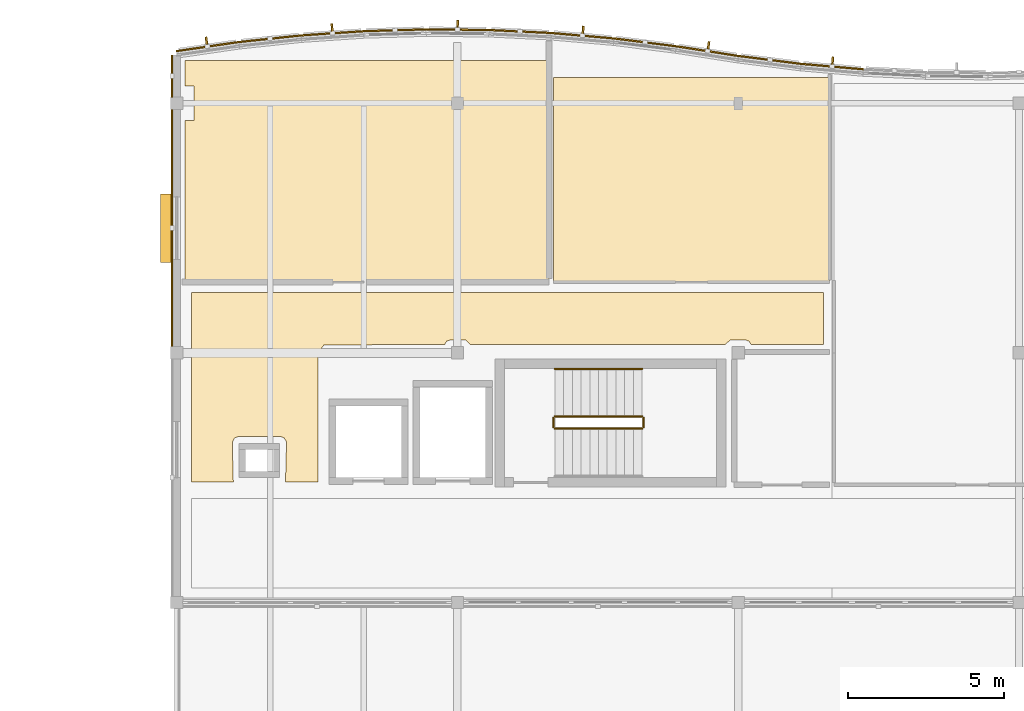
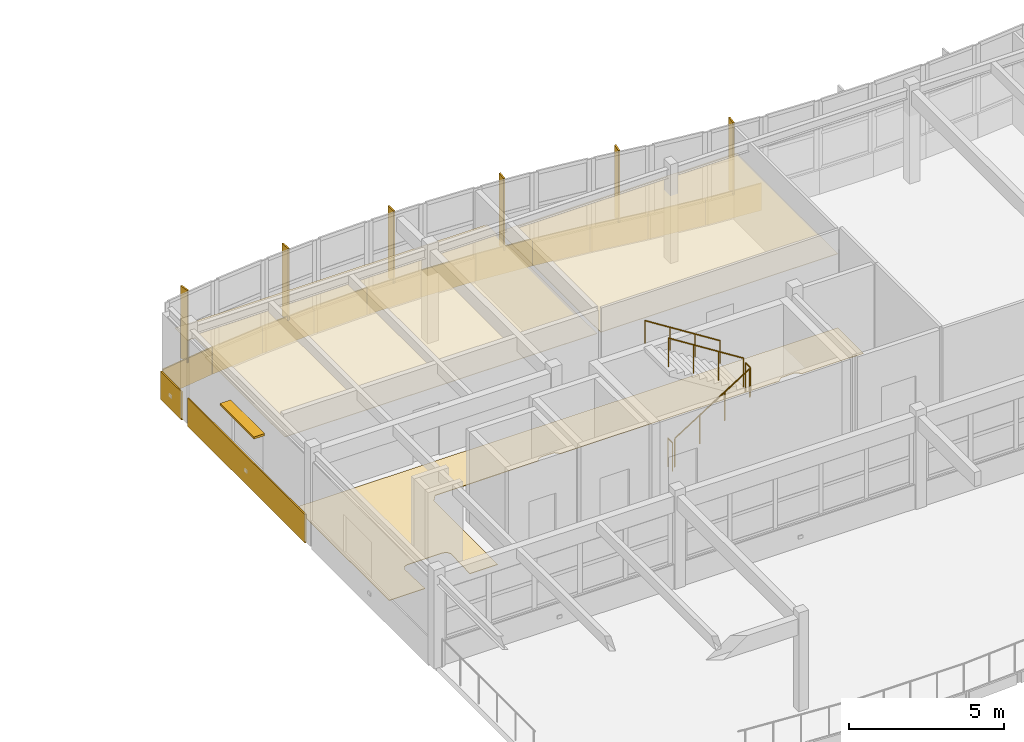
# One storey, part 58 of 63: 16 coverings, 7 shading devices, 5 railings.
"""IFC4 building model written with IfcOpenShell, lengths in metres."""

from ifc_helpers import new_model, si_unit, direction, frame, origin, origin_2d, place, context, subcontext, project, spatial, polyline, rectangle, circle, outline, extrude, material, layer, layer_set, type_object, element, save


model = new_model("IFC4")

# Units and contexts
model_context = context("Model", 3, precision=1e-05, world=origin(), true_north=direction((0.0, 1.0)))
body_context = subcontext(model_context, "Body", "Model", "MODEL_VIEW")
ifc_project = project(units=[si_unit("LENGTHUNIT", "METRE"), si_unit("AREAUNIT", "SQUARE_METRE"), si_unit("VOLUMEUNIT", "CUBIC_METRE"), si_unit("PLANEANGLEUNIT", "RADIAN"), si_unit("MASSUNIT", "GRAM", prefix="KILO")], contexts=[model_context])

# Site, building, storey
site_placement = place(None, origin())
site = spatial("IfcSite", under=ifc_project, at=site_placement, CompositionType="ELEMENT")
building_placement = place(site_placement, origin())
building = spatial("IfcBuilding", under=site, at=building_placement, Name="Tonlespit Floodbar School", CompositionType="ELEMENT")
storey_placement = place(building_placement, frame((0.0, 0.0, 8.39990234375)))
storey = spatial("IfcBuildingStorey", under=building, at=storey_placement, Name="L02", CompositionType="ELEMENT", Elevation=8.39990234375)

# Coverings
ifc_material_1 = material(Name="Acoustic Mineral Tile")
ifc_layer_1 = layer(ifc_material_1, 0.02001953125)
ifc_layer_set_1 = layer_set([ifc_layer_1], Name="Acoustic Mineral Tile")
covering_type_1 = type_object("IfcCoveringType", Name="Ceiling_Acoustic_20", PredefinedType="CEILING", material=ifc_layer_set_1)
covering_1_placement = place(storey_placement, frame((0.0, 0.0, 2.650146484375)))
element("IfcCovering", 1, at=covering_1_placement, inside=storey, type_object=covering_type_1, Name="L02 Upper Primary Classroom 201 acoustic ceiling", PredefinedType="CEILING", context=body_context, shape_type="SweptSolid", body=[
    extrude(outline(polyline([(44.27001953125, 120.550048828125), (44.27001953125, 121.372802734375), (55.929931640625, 121.372802734375), (55.929931640625, 114.27001953125), (44.27001953125, 114.27001953125), (44.27001953125, 119.449951171875), (44.550048828125, 119.449951171875), (44.550048828125, 120.550048828125), (44.27001953125, 120.550048828125)])), origin(), (0.0, 0.0, 1.0), 0.02001953125),
])
covering_2_placement = place(storey_placement, frame((0.0, 0.0, 2.650146484375)))
element("IfcCovering", 2, at=covering_2_placement, inside=storey, type_object=covering_type_1, Name="L02 Khmer Literature Seminar acoustic ceiling", PredefinedType="CEILING", context=body_context, shape_type="SweptSolid", body=[
    extrude(outline(polyline([(56.070068359375, 114.27001953125), (56.070068359375, 120.835693359375), (64.929931640625, 120.835693359375), (64.929931640625, 114.27001953125), (56.070068359375, 114.27001953125)])), origin(), (0.0, 0.0, 1.0), 0.02001953125),
])
ifc_material_2 = material(Name="White Architectural Aluminium", Category="aluminium")
ifc_layer_2 = layer(ifc_material_2, 0.050048828125)
ifc_layer_set_2 = layer_set([ifc_layer_2], Name="White Architectural Aluminium")
covering_type_2 = type_object("IfcCoveringType", Name="Cladding_WhiteBand_50", PredefinedType="CLADDING", material=ifc_layer_set_2)
covering_3_placement = place(storey_placement, frame((0.0, 0.0, -0.119873046875)))
element("IfcCovering", 3, at=covering_3_placement, inside=storey, type_object=covering_type_2, Name="L02 curved white spandrel cladding 0131", PredefinedType="CLADDING", context=body_context, shape_type="SweptSolid", body=[
    extrude(outline(polyline([(43.985595703125, 121.64892578125), (45.985595703125, 121.940673828125), (45.978515625, 121.989990234375), (43.978515625, 121.698486328125), (43.985595703125, 121.64892578125)])), origin(), (0.0, 0.0, 1.0), 1.070068359375),
])
covering_4_placement = place(storey_placement, frame((0.0, 0.0, -0.119873046875)))
element("IfcCovering", 4, at=covering_4_placement, inside=storey, type_object=covering_type_2, Name="L02 curved white spandrel cladding 0132", PredefinedType="CLADDING", context=body_context, shape_type="SweptSolid", body=[
    extrude(outline(polyline([(45.989501953125, 121.94091796875), (47.989501953125, 122.15380859375), (47.984130859375, 122.203369140625), (45.984130859375, 121.99072265625), (45.989501953125, 121.94091796875)])), origin(), (0.0, 0.0, 1.0), 1.070068359375),
])
covering_5_placement = place(storey_placement, frame((0.0, 0.0, -0.119873046875)))
element("IfcCovering", 5, at=covering_5_placement, inside=storey, type_object=covering_type_2, Name="L02 curved white spandrel cladding 0133", PredefinedType="CLADDING", context=body_context, shape_type="SweptSolid", body=[
    extrude(outline(polyline([(47.993408203125, 122.154052734375), (49.993408203125, 122.2890625), (49.989990234375, 122.339111328125), (47.989990234375, 122.2041015625), (47.993408203125, 122.154052734375)])), origin(), (0.0, 0.0, 1.0), 1.070068359375),
])
covering_6_placement = place(storey_placement, frame((0.0, 0.0, -0.119873046875)))
element("IfcCovering", 6, at=covering_6_placement, inside=storey, type_object=covering_type_2, Name="L02 curved white spandrel cladding 0134", PredefinedType="CLADDING", context=body_context, shape_type="SweptSolid", body=[
    extrude(outline(polyline([(49.9970703125, 122.289306640625), (51.9970703125, 122.346923828125), (51.99560546875, 122.39697265625), (49.99560546875, 122.33935546875), (49.9970703125, 122.289306640625)])), origin(), (0.0, 0.0, 1.0), 1.070068359375),
])
covering_7_placement = place(storey_placement, frame((0.0, 0.0, -0.119873046875)))
element("IfcCovering", 7, at=covering_7_placement, inside=storey, type_object=covering_type_2, Name="L02 curved white spandrel cladding 0135", PredefinedType="CLADDING", context=body_context, shape_type="SweptSolid", body=[
    extrude(outline(polyline([(52.0009765625, 122.346923828125), (54.0009765625, 122.327880859375), (54.00146484375, 122.377685546875), (52.00146484375, 122.39697265625), (52.0009765625, 122.346923828125)])), origin(), (0.0, 0.0, 1.0), 1.070068359375),
])
covering_8_placement = place(storey_placement, frame((0.0, 0.0, -0.119873046875)))
element("IfcCovering", 8, at=covering_8_placement, inside=storey, type_object=covering_type_2, Name="L02 curved white spandrel cladding 0136", PredefinedType="CLADDING", context=body_context, shape_type="SweptSolid", body=[
    extrude(outline(polyline([(54.0048828125, 122.32763671875), (56.0048828125, 122.2314453125), (56.007080078125, 122.28125), (54.007080078125, 122.377685546875), (54.0048828125, 122.32763671875)])), origin(), (0.0, 0.0, 1.0), 1.070068359375),
])
covering_9_placement = place(storey_placement, frame((0.0, 0.0, -0.119873046875)))
element("IfcCovering", 9, at=covering_9_placement, inside=storey, type_object=covering_type_2, Name="L02 curved white spandrel cladding 0137", PredefinedType="CLADDING", context=body_context, shape_type="SweptSolid", body=[
    extrude(outline(polyline([(56.0087890625, 122.231201171875), (58.0087890625, 122.057373046875), (58.012939453125, 122.107177734375), (56.012939453125, 122.281005859375), (56.0087890625, 122.231201171875)])), origin(), (0.0, 0.0, 1.0), 1.070068359375),
])
covering_10_placement = place(storey_placement, frame((0.0, 0.0, -0.119873046875)))
element("IfcCovering", 10, at=covering_10_placement, inside=storey, type_object=covering_type_2, Name="L02 curved white spandrel cladding 0138", PredefinedType="CLADDING", context=body_context, shape_type="SweptSolid", body=[
    extrude(outline(polyline([(58.012451171875, 122.056884765625), (60.012451171875, 121.804931640625), (60.018798828125, 121.8544921875), (58.018798828125, 122.1064453125), (58.012451171875, 122.056884765625)])), origin(), (0.0, 0.0, 1.0), 1.070068359375),
])
covering_11_placement = place(storey_placement, frame((0.0, 0.0, -0.119873046875)))
element("IfcCovering", 11, at=covering_11_placement, inside=storey, type_object=covering_type_2, Name="L02 curved white spandrel cladding 0139", PredefinedType="CLADDING", context=body_context, shape_type="SweptSolid", body=[
    extrude(outline(polyline([(60.015380859375, 121.804443359375), (62.015380859375, 121.4931640625), (62.023193359375, 121.54248046875), (60.023193359375, 121.85400390625), (60.015380859375, 121.804443359375)])), origin(), (0.0, 0.0, 1.0), 1.070068359375),
])
covering_12_placement = place(storey_placement, frame((0.0, 0.0, -0.119873046875)))
element("IfcCovering", 12, at=covering_12_placement, inside=storey, type_object=covering_type_2, Name="L02 curved white spandrel cladding 0140", PredefinedType="CLADDING", context=body_context, shape_type="SweptSolid", body=[
    extrude(outline(polyline([(62.012451171875, 121.493408203125), (64.012451171875, 121.241455078125), (64.018798828125, 121.291015625), (62.018798828125, 121.543212890625), (62.012451171875, 121.493408203125)])), origin(), (0.0, 0.0, 1.0), 1.070068359375),
])
covering_13_placement = place(storey_placement, frame((0.0, 0.0, -0.119873046875)))
element("IfcCovering", 13, at=covering_13_placement, inside=storey, type_object=covering_type_2, Name="L02 curved white spandrel cladding 0141", PredefinedType="CLADDING", context=body_context, shape_type="SweptSolid", body=[
    extrude(outline(polyline([(64.0087890625, 121.241943359375), (66.0087890625, 121.068115234375), (66.012939453125, 121.117919921875), (64.012939453125, 121.291748046875), (64.0087890625, 121.241943359375)])), origin(), (0.0, 0.0, 1.0), 1.070068359375),
])
covering_14_placement = place(storey_placement, frame((0.0, 0.0, -0.119873046875)))
element("IfcCovering", 14, at=covering_14_placement, inside=storey, type_object=covering_type_2, Name="L02 curved white spandrel cladding 0176", PredefinedType="CLADDING", context=body_context, shape_type="SweptSolid", body=[
    extrude(outline(polyline([(43.8798828125, 112.199951171875), (43.8798828125, 119.800048828125), (43.830078125, 119.800048828125), (43.830078125, 112.199951171875), (43.8798828125, 112.199951171875)])), origin(), (0.0, 0.0, 1.0), 1.119873046875),
])
covering_15_placement = place(storey_placement, frame((0.0, 0.0, -0.119873046875)))
element("IfcCovering", 15, at=covering_15_placement, inside=storey, type_object=covering_type_2, Name="L02 curved white spandrel cladding 0177", PredefinedType="CLADDING", context=body_context, shape_type="SweptSolid", body=[
    extrude(outline(polyline([(43.8798828125, 120.199951171875), (43.8798828125, 121.550048828125), (43.830078125, 121.550048828125), (43.830078125, 120.199951171875), (43.8798828125, 120.199951171875)])), origin(), (0.0, 0.0, 1.0), 1.119873046875),
])
ifc_material_3 = material(Name="Terrazzo Tile")
ifc_layer_3 = layer(ifc_material_3, 0.02001953125)
ifc_layer_set_3 = layer_set([ifc_layer_3], Name="Terrazzo Tile")
covering_type_3 = type_object("IfcCoveringType", Name="Flooring_Terrazzo_20", PredefinedType="FLOORING", material=ifc_layer_set_3)
covering_16_placement = place(storey_placement, origin())
element("IfcCovering", 16, at=covering_16_placement, inside=storey, type_object=covering_type_3, Name="L02 West Lobby Passage L02 terrazzo flooring", PredefinedType="FLOORING", context=body_context, shape_type="SweptSolid", body=[
    extrude(outline(polyline([(45.781005859375, 109.1396484375), (45.81298828125, 107.8701171875), (44.469970703125, 107.8701171875), (44.469970703125, 113.929931640625), (64.72998046875, 113.929931640625), (64.72998046875, 112.27001953125), (62.413330078125, 112.27001953125), (62.346923828125, 112.37451171875), (62.219970703125, 112.419921875), (61.740966796875, 112.416259765625), (61.586669921875, 112.27001953125), (53.413330078125, 112.27001953125), (53.259033203125, 112.416259765625), (52.780029296875, 112.419921875), (52.653076171875, 112.37451171875), (52.586669921875, 112.27001953125), (48.718505859375, 112.25732421875), (48.530029296875, 112.0), (48.530029296875, 107.8701171875), (47.487060546875, 107.8701171875), (47.51904296875, 109.1396484375), (47.447021484375, 109.274658203125), (47.320068359375, 109.320068359375), (45.97998046875, 109.320068359375), (45.85302734375, 109.274658203125), (45.781005859375, 109.1396484375)])), origin(), (0.0, 0.0, 1.0), 0.02001953125),
])

# Railings
ifc_material_4 = material(Name="Galvanised Steel", Category="steel")
railing_type_1 = type_object("IfcRailingType", Name="Guard_Int_1150", PredefinedType="BALUSTRADE", material=ifc_material_4)
railing_1_placement = place(storey_placement, frame((56.1201171875, 109.570068359375, 0.177490234375)))
element("IfcRailing", 17, at=railing_1_placement, inside=storey, type_object=railing_type_1, Name="L02 ST-C1 stair guard 1", PredefinedType="BALUSTRADE", context=body_context, shape_type="SweptSolid", body=[
    extrude(circle(Radius=0.02392578125, at=origin_2d()), frame((0.0, 0.0, 1.1259765625), z_axis=(0.844887892834, 0.0, 0.53494340686), x_axis=(0.0, 1.0, 0.0)), (0.0, 0.0, 1.0), 3.313720703125),
    extrude(circle(Radius=0.02099609375, at=origin_2d()), origin(), (0.0, 0.0, 1.0), 1.101806640625),
    extrude(circle(Radius=0.02099609375, at=origin_2d()), frame((0.933349609375, 0.0, 0.5908203125)), (0.0, 0.0, 1.0), 1.101806640625),
    extrude(circle(Radius=0.02099609375, at=origin_2d()), frame((1.866455078125, 0.0, 1.181884765625)), (0.0, 0.0, 1.0), 1.101806640625),
    extrude(circle(Radius=0.02099609375, at=origin_2d()), frame((2.7998046875, 0.0, 1.772705078125)), (0.0, 0.0, 1.0), 1.101806640625),
])
railing_2_placement = place(storey_placement, frame((58.969970703125, 109.6201171875, 1.9501953125)))
element("IfcRailing", 18, at=railing_2_placement, inside=storey, type_object=railing_type_1, Name="L02 ST-C1 stair guard 2", PredefinedType="BALUSTRADE", context=body_context, shape_type="SweptSolid", body=[
    extrude(circle(Radius=0.02392578125, at=origin_2d()), frame((0.0, 0.0, 1.1259765625), z_axis=(0.0, 1.0, 0.0), x_axis=(-1.0, 0.0, 0.0)), (0.0, 0.0, 1.0), 0.2998046875),
    extrude(circle(Radius=0.02099609375, at=origin_2d()), origin(), (0.0, 0.0, 1.0), 1.101806640625),
    extrude(circle(Radius=0.02099609375, at=origin_2d()), frame((0.0, 0.2998046875, 0.0)), (0.0, 0.0, 1.0), 1.101806640625),
])
railing_3_placement = place(storey_placement, frame((58.919921875, 109.969970703125, 2.12744140625)))
element("IfcRailing", 19, at=railing_3_placement, inside=storey, type_object=railing_type_1, Name="L02 ST-C1 stair guard 3", PredefinedType="BALUSTRADE", context=body_context, shape_type="SweptSolid", body=[
    extrude(circle(Radius=0.02392578125, at=origin_2d()), frame((0.0, 0.0, 1.1259765625), z_axis=(-0.844887892834, 0.0, 0.53494340686), x_axis=(0.0, -1.0, 0.0)), (0.0, 0.0, 1.0), 3.313720703125),
    extrude(circle(Radius=0.02099609375, at=origin_2d()), origin(), (0.0, 0.0, 1.0), 1.101806640625),
    extrude(circle(Radius=0.02099609375, at=origin_2d()), frame((-0.933349609375, 0.0, 0.5908203125)), (0.0, 0.0, 1.0), 1.101806640625),
    extrude(circle(Radius=0.02099609375, at=origin_2d()), frame((-1.866455078125, 0.0, 1.181884765625)), (0.0, 0.0, 1.0), 1.101806640625),
    extrude(circle(Radius=0.02099609375, at=origin_2d()), frame((-2.7998046875, 0.0, 1.772705078125)), (0.0, 0.0, 1.0), 1.101806640625),
])
railing_4_placement = place(storey_placement, frame((56.070068359375, 109.6201171875, 0.0)))
element("IfcRailing", 20, at=railing_4_placement, inside=storey, type_object=railing_type_1, Name="L02 ST-C1 stair guard 4", PredefinedType="BALUSTRADE", context=body_context, shape_type="SweptSolid", body=[
    extrude(circle(Radius=0.02392578125, at=origin_2d()), frame((0.0, 0.0, 1.1259765625), z_axis=(0.0, 1.0, 0.0), x_axis=(-1.0, 0.0, 0.0)), (0.0, 0.0, 1.0), 0.2998046875),
    extrude(circle(Radius=0.02099609375, at=origin_2d()), origin(), (0.0, 0.0, 1.0), 1.101806640625),
    extrude(circle(Radius=0.02099609375, at=origin_2d()), frame((0.0, 0.2998046875, 0.0)), (0.0, 0.0, 1.0), 1.101806640625),
])
railing_type_2 = type_object("IfcRailingType", Name="Handrail_Int_920", PredefinedType="HANDRAIL", material=ifc_material_4)
railing_5_placement = place(storey_placement, frame((58.919921875, 111.489990234375, 2.12744140625)))
element("IfcRailing", 21, at=railing_5_placement, inside=storey, type_object=railing_type_2, Name="L02 ST-C1 stair handrail 2", PredefinedType="HANDRAIL", context=body_context, shape_type="SweptSolid", body=[
    extrude(circle(Radius=0.02392578125, at=origin_2d()), frame((0.0, 0.0, 0.89599609375), z_axis=(-0.844887892834, 0.0, 0.53494340686), x_axis=(0.0, -1.0, 0.0)), (0.0, 0.0, 1.0), 3.313720703125),
    extrude(circle(Radius=0.02099609375, at=origin_2d()), origin(), (0.0, 0.0, 1.0), 0.871826171875),
    extrude(circle(Radius=0.02099609375, at=origin_2d()), frame((-0.933349609375, 0.0, 0.5908203125)), (0.0, 0.0, 1.0), 0.871826171875),
    extrude(circle(Radius=0.02099609375, at=origin_2d()), frame((-1.866455078125, 0.0, 1.181884765625)), (0.0, 0.0, 1.0), 0.871826171875),
    extrude(circle(Radius=0.02099609375, at=origin_2d()), frame((-2.7998046875, 0.0, 1.772705078125)), (0.0, 0.0, 1.0), 0.871826171875),
])

# Shading devices
ifc_material_5 = material(Name="Anodised Aluminium", Category="aluminium")
ifc_layer_4 = layer(ifc_material_5, 0.080078125)
ifc_layer_set_4 = layer_set([ifc_layer_4], Name="Anodised Aluminium")
shading_device_type_1 = type_object("IfcShadingDeviceType", Name="Shading_MonsoonJalousie_400", PredefinedType="JALOUSIE", material=ifc_layer_set_4)
shading_device_placement = place(storey_placement, frame((43.681884765625, 116.0, 2.469970703125), z_axis=(0.0, 0.0, 1.0), x_axis=(0.0, 1.0, 0.0)))
element("IfcShadingDevice", 22, at=shading_device_placement, inside=storey, type_object=shading_device_type_1, Name="L02 monsoon jalousie 055", PredefinedType="JALOUSIE", context=body_context, shape_type="SweptSolid", body=[
    extrude(rectangle(XDim=2.199951171875, YDim=0.39990234375, at=origin_2d()), origin(), (0.0, 0.0, 1.0), 0.080078125),
])
ifc_material_6 = material(Name="Terracotta Anodised Aluminium", Category="masonry")
ifc_layer_5 = layer(ifc_material_6, 0.06005859375)
ifc_layer_set_5 = layer_set([ifc_layer_5], Name="Terracotta Anodised Aluminium")
shading_device_type_2 = type_object("IfcShadingDeviceType", Name="Shading_SolarFin_350", PredefinedType="USERDEFINED", material=ifc_layer_set_5)
for number, where, z_axis, x_axis, name in (
    (23, (44.96240234375, 121.953125, 0.800048828125), (0.0, 0.0, 1.0), (0.989537627347, 0.144275029245, 0.0), "L02 vertical solar fin 037"),
    (24, (48.982421875, 122.381103515625, 0.800048828125), (0.0, 0.0, 1.0), (0.997729639049, 0.067346621018, 0.0), "L02 vertical solar fin 038"),
    (25, (53.00244140625, 122.497314453125, 0.800048828125), (0.0, 0.0, 1.0), (0.999953926969, -0.009599163462, 0.0), "L02 vertical solar fin 039"),
    (26, (57.0224609375, 122.3037109375, 0.800048828125), (0.0, 0.0, 1.0), (0.996245486492, -0.086573267488, 0.0), "L02 vertical solar fin 040"),
    (27, (61.0400390625, 121.806884765625, 0.800048828125), (0.0, 0.0, 1.0), (0.988094768361, -0.153846445322, 0.0), "L02 vertical solar fin 041"),
    (28, (65.0224609375, 121.314453125, 0.800048828125), (0.0, 0.0, 1.0), (0.996245486492, -0.086573267488, 0.0), "L02 vertical solar fin 042"),
):
    element("IfcShadingDevice", number, at=place(storey_placement, frame(where, z_axis=z_axis, x_axis=x_axis)), inside=storey, type_object=shading_device_type_2, Name=name, ObjectType="SOLAR FIN", PredefinedType="USERDEFINED", context=body_context, shape_type="SweptSolid", body=[
        extrude(rectangle(XDim=0.06005859375, YDim=0.35009765625, at=origin_2d()), origin(), (0.0, 0.0, 1.0), 2.85009765625),
    ])

save(model, "model.ifc")
